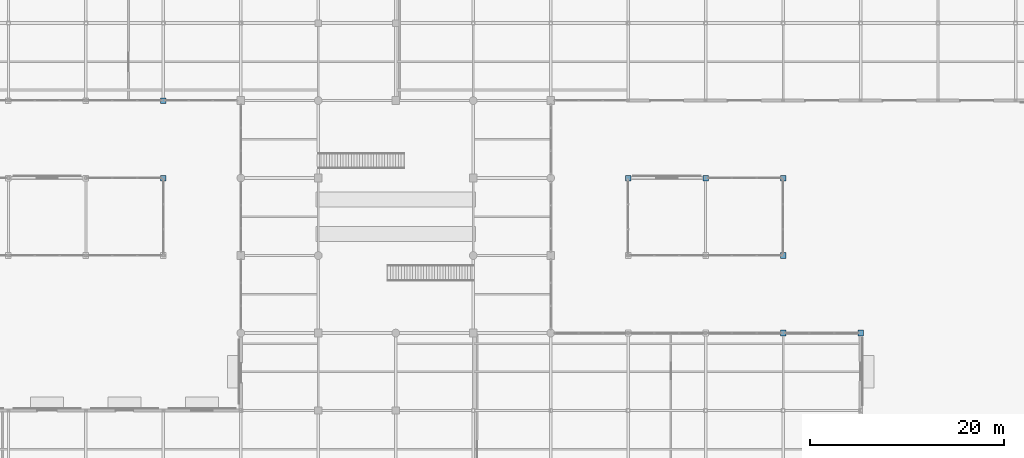
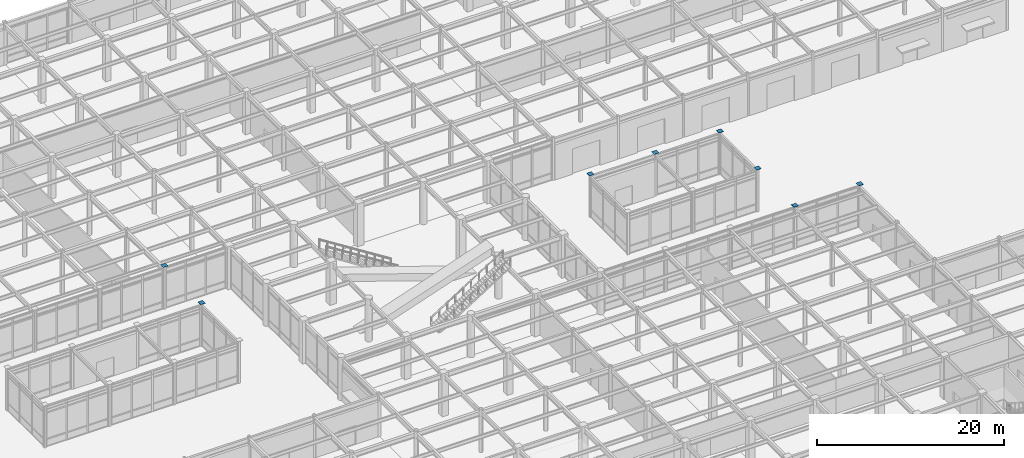
# One storey, part 115 of 128: 8 discrete accessories.
"""IFC4 building model written with IfcOpenShell, lengths in metres."""

from ifc_helpers import new_model, si_unit, direction, frame, origin, origin_2d, place, context, subcontext, project, spatial, rectangle, extrude, material, layer, layer_set, type_object, element, save


model = new_model("IFC4")

# Units and contexts
model_context = context("Model", 3, precision=1e-05, world=origin(), true_north=direction((0.0, 1.0)))
body_context = subcontext(model_context, "Body", "Model", "MODEL_VIEW")
ifc_project = project(units=[si_unit("LENGTHUNIT", "METRE"), si_unit("AREAUNIT", "SQUARE_METRE"), si_unit("VOLUMEUNIT", "CUBIC_METRE"), si_unit("PLANEANGLEUNIT", "RADIAN"), si_unit("MASSUNIT", "GRAM", prefix="KILO")], contexts=[model_context])

# Site, building, storey
site_placement = place(None, origin())
site = spatial("IfcSite", under=ifc_project, at=site_placement, CompositionType="ELEMENT")
building_placement = place(site_placement, origin())
building = spatial("IfcBuilding", under=site, at=building_placement, Name="Solmirada Galleria", CompositionType="ELEMENT")
storey_placement = place(building_placement, origin())
storey = spatial("IfcBuildingStorey", under=building, at=storey_placement, Name="L00", CompositionType="ELEMENT", Elevation=0.0)

# Discrete accessories
ifc_material = material(Name="Steel S355 / ASTM A572 Grade 50", Category="steel")
ifc_layer = layer(ifc_material, 0.031982421875)
ifc_layer_set = layer_set([ifc_layer], Name="Steel S355 / ASTM A572 Grade 50")
discrete_accessory_type = type_object("IfcDiscreteAccessoryType", Name="ACC-COL-CAP", PredefinedType="BRACKET", material=ifc_layer_set)
for number, where, z_axis, x_axis, name in (
    (1, (72.0, 64.0, 5.59423828125), (0.0, 0.0, 1.0), (1.0, 0.0, 0.0), "Hollow column cap plate L00-0303"),
    (2, (72.0, 72.0, 5.59423828125), (0.0, 0.0, 1.0), (1.0, 0.0, 0.0), "Hollow column cap plate L00-0305"),
    (3, (120.0, 64.0, 5.59423828125), (0.0, 0.0, 1.0), (1.0, 0.0, 0.0), "Hollow column cap plate L00-0967"),
    (4, (128.0, 64.0, 5.59423828125), (0.0, 0.0, 1.0), (1.0, 0.0, 0.0), "Hollow column cap plate L00-1050"),
    (5, (136.0, 48.0, 5.59423828125), (0.0, 0.0, 1.0), (1.0, 0.0, 0.0), "Hollow column cap plate L00-1147"),
    (6, (136.0, 56.0, 5.59423828125), (0.0, 0.0, 1.0), (1.0, 0.0, 0.0), "Hollow column cap plate L00-1149"),
    (7, (136.0, 64.0, 5.59423828125), (0.0, 0.0, 1.0), (1.0, 0.0, 0.0), "Hollow column cap plate L00-1151"),
    (8, (144.0, 48.0, 5.59423828125), (0.0, 0.0, 1.0), (1.0, 0.0, 0.0), "Hollow column cap plate L00-1237"),
):
    element("IfcDiscreteAccessory", number, at=place(storey_placement, frame(where, z_axis=z_axis, x_axis=x_axis)), inside=storey, type_object=discrete_accessory_type, Name=name, PredefinedType="BRACKET", context=body_context, shape_type="SweptSolid", body=[
        extrude(rectangle(XDim=0.580078125, YDim=0.580078125, at=origin_2d()), origin(), (0.0, 0.0, 1.0), 0.035888671875),
    ])

save(model, "model.ifc")
